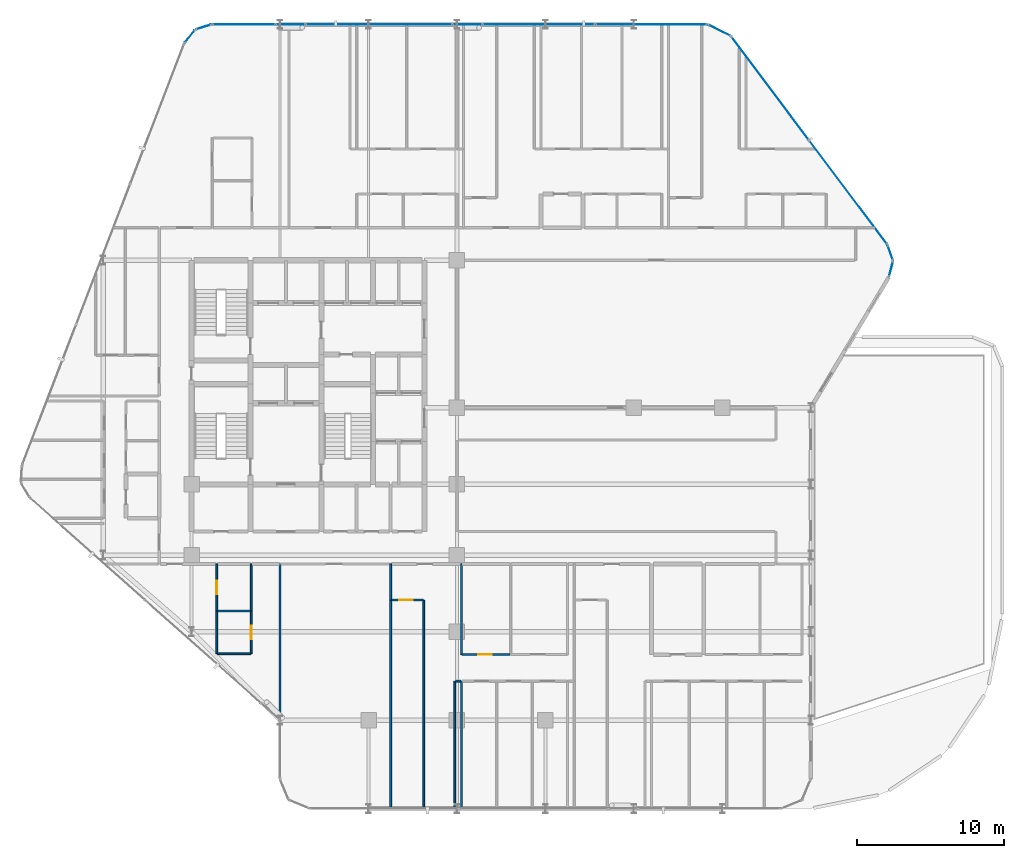
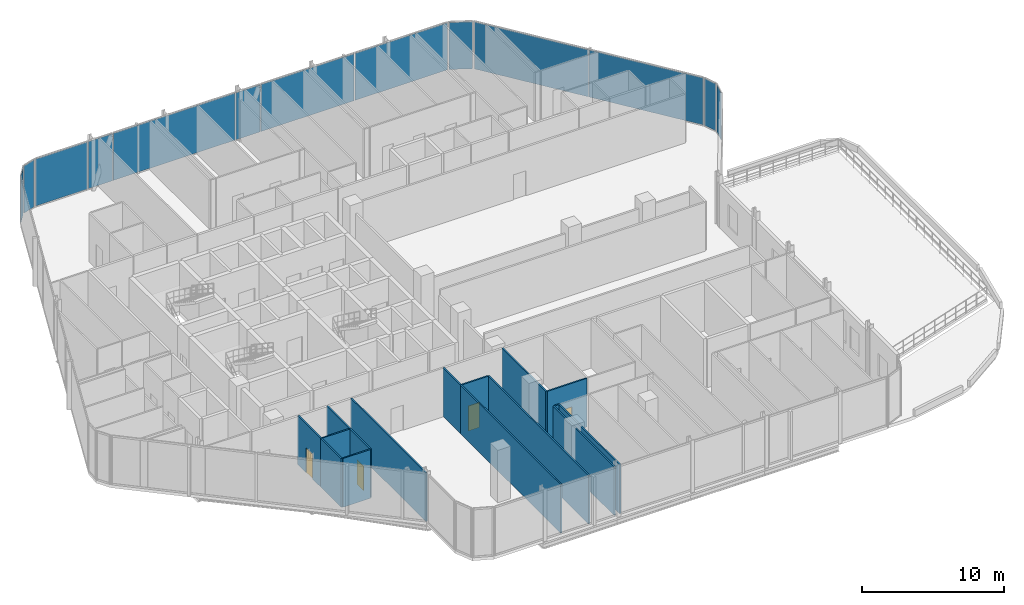
# One storey, part 21 of 30: 16 walls, 13 plates, 4 doors, 4 openings, 11 elements without a shape of their own.
"""IFC4 building model written with IfcOpenShell, lengths in metres."""

import ifcopenshell
import ifcopenshell.guid

model = None  # the IFC model being written
_history = None  # IfcOwnerHistory: only IFC2X3 demands one
_inside = {}  # id of a spatial element -> (the spatial element, [elements in it])
_under = {}  # id of a project, library or spatial element -> (it, [spatial elements below it])
_declared = {}  # id of a project -> (the project, [libraries it declares])
_typed = {}  # id of a type object -> (the type object, [elements of that type])
_made_of = {}  # id of a material, layer set ... -> (it, [elements and type objects made of it])


def new_model(schema):
    """Start an empty IFC model of exactly this schema.

    Asked for "IFC4X3", IfcOpenShell would pick the latest addendum, in which some entities
    have other attributes; the version numbers below select the first issue.
    IFC2X3 requires an IfcOwnerHistory on every rooted entity: one is made here for all.
    """
    global model, _history
    if schema == "IFC4X3":
        model = ifcopenshell.file(schema_version=(4, 3, 0, 0))
    else:
        model = ifcopenshell.file(schema=schema)
    _inside.clear()
    _under.clear()
    _declared.clear()
    _typed.clear()
    _made_of.clear()
    _history = None
    if model.schema == "IFC2X3":
        org = make("IfcOrganization", Name="unknown")
        user = make(
            "IfcPersonAndOrganization",
            ThePerson=make("IfcPerson", FamilyName="unknown"),
            TheOrganization=org,
        )
        app = make(
            "IfcApplication",
            ApplicationDeveloper=org,
            Version="unknown",
            ApplicationFullName="unknown",
            ApplicationIdentifier="unknown",
        )
        _history = make(
            "IfcOwnerHistory",
            OwningUser=user,
            OwningApplication=app,
            ChangeAction="ADDED",
            CreationDate=0,
        )
    return model


def make(cls, **values):
    """One entity of the class cls with the attributes given. An attribute that is None is left unset."""
    return model.create_entity(
        cls, **{name: value for name, value in values.items() if value is not None}
    )


def rooted(cls, **values):
    """An entity with a GlobalId (a new one), such as an element, a storey or a relation."""
    return make(cls, GlobalId=ifcopenshell.guid.new(), OwnerHistory=_history, **values)


def si_unit(unit_type, name, prefix=None):
    """IfcSIUnit, for example si_unit("LENGTHUNIT", "METRE", prefix="MILLI")."""
    return make("IfcSIUnit", UnitType=unit_type, Prefix=prefix, Name=name)


def assignment(units):
    """IfcUnitAssignment: the units of a project."""
    return None if units is None else make("IfcUnitAssignment", Units=units)


def point(xyz):
    """IfcCartesianPoint."""
    return None if xyz is None else make("IfcCartesianPoint", Coordinates=xyz)


def direction(xyz):
    """IfcDirection."""
    return None if xyz is None else make("IfcDirection", DirectionRatios=xyz)


def frame(location, z_axis=None, x_axis=None):
    """IfcAxis2Placement3D, a coordinate frame: its origin and axes. An axis left out is left unset."""
    return make(
        "IfcAxis2Placement3D",
        Location=point(location),
        Axis=direction(z_axis),
        RefDirection=direction(x_axis),
    )


def frame_2d(location, x_axis=None):
    """IfcAxis2Placement2D, a coordinate frame in the plane: its origin and x axis."""
    return make(
        "IfcAxis2Placement2D", Location=point(location), RefDirection=direction(x_axis)
    )


def origin():
    """The frame at (0, 0, 0) with its axes left unset."""
    return frame((0.0, 0.0, 0.0))


def origin_2d():
    """The frame at (0, 0) in the plane with its x axis left unset."""
    return frame_2d((0.0, 0.0))


def place(relative_to, where):
    """IfcLocalPlacement: puts the frame where relative to a parent placement (None: the world)."""
    return make(
        "IfcLocalPlacement", PlacementRelTo=relative_to, RelativePlacement=where
    )


def context(
    kind, dimensions, precision=None, world=None, true_north=None, identifier=None
):
    """IfcGeometricRepresentationContext, for example the 3D "Model" context."""
    return make(
        "IfcGeometricRepresentationContext",
        ContextIdentifier=identifier,
        ContextType=kind,
        CoordinateSpaceDimension=dimensions,
        Precision=precision,
        WorldCoordinateSystem=world,
        TrueNorth=true_north,
    )


def subcontext(parent, identifier, kind, view, scale=None):
    """IfcGeometricRepresentationSubContext, for example "Body" below "Model"."""
    return make(
        "IfcGeometricRepresentationSubContext",
        ContextIdentifier=identifier,
        ContextType=kind,
        ParentContext=parent,
        TargetScale=scale,
        TargetView=view,
    )


def project(units=None, contexts=None):
    """IfcProject with its units and contexts."""
    return rooted(
        "IfcProject",
        Name="project",
        RepresentationContexts=contexts,
        UnitsInContext=assignment(units),
    )


def spatial(cls, under=None, at=None, **own):
    """A site, building, storey or space (cls), placed at a placement, below another one or the project."""
    s = rooted(cls, ObjectPlacement=at, **own)
    if under is not None:
        _under.setdefault(under.id(), (under, []))[1].append(s)
    return s


def profile(cls, at=None, kind="AREA", **sizes):
    """A parametric profile (cls). Its sizes go by their IFC names, for example OverallWidth=200.0."""
    return make(cls, ProfileType=kind, Position=at, **sizes)


def rectangle(**sizes):
    """IfcRectangleProfileDef."""
    return profile("IfcRectangleProfileDef", **sizes)


def extrude(swept, where, along, depth):
    """IfcExtrudedAreaSolid: the profile swept, set in the frame where, extruded along a direction by depth."""
    return make(
        "IfcExtrudedAreaSolid",
        SweptArea=swept,
        Position=where,
        ExtrudedDirection=direction(along),
        Depth=depth,
    )


def shape(context_of_items, identifier, shape_type, items):
    """IfcShapeRepresentation: the items that make up one representation, for example the "Body"."""
    return make(
        "IfcShapeRepresentation",
        ContextOfItems=context_of_items,
        RepresentationIdentifier=identifier,
        RepresentationType=shape_type,
        Items=items,
    )


def material(Name=None, Category=None):
    """IfcMaterial."""
    return make("IfcMaterial", Name=Name, Category=Category)


def layer(
    of_material, thickness, ventilated=None, Name=None, Category=None, Priority=None
):
    """IfcMaterialLayer: one layer of a wall or slab, of a material (None: an air gap)."""
    return make(
        "IfcMaterialLayer",
        Material=of_material,
        LayerThickness=thickness,
        IsVentilated=ventilated,
        Name=Name,
        Category=Category,
        Priority=Priority,
    )


def layer_set(layers, Name=None):
    """IfcMaterialLayerSet."""
    return make("IfcMaterialLayerSet", MaterialLayers=layers, LayerSetName=Name)


def made_of(thing, what):
    """Note that an element or type object is made of a material, layer set ...; save() writes the relation."""
    if what is not None:
        _made_of.setdefault(what.id(), (what, []))[1].append(thing)
    return thing


def type_object(cls, material=None, **own):
    """A type object (cls), such as IfcWallType, which elements share."""
    return made_of(rooted(cls, **own), material)


def element(
    cls,
    number,
    at=None,
    inside=None,
    cuts=None,
    type_object=None,
    material=None,
    context=None,
    identifier="Body",
    shape_type=None,
    held_by="IfcProductDefinitionShape",
    body=None,
    shapes=None,
    **own,
):
    """One element of the class cls, such as IfcWall. Its Tag is "e" and its number.

    at: its placement. inside: the storey or other place that contains it. cuts: it is an
    opening in that element (IfcRelVoidsElement). A single representation is given by context,
    identifier, shape_type and body (its items); several are given by shapes. held_by: the class
    of the entity that holds the representations. save() writes the other relations.
    """
    e = rooted(cls, Tag="e%d" % number, ObjectPlacement=at, **own)
    if body is not None:
        shapes = [shape(context, identifier, shape_type, body)]
    if shapes is not None:
        e.Representation = make(held_by, Representations=shapes)
    if inside is not None:
        _inside.setdefault(inside.id(), (inside, []))[1].append(e)
    if cuts is not None:
        rooted(
            "IfcRelVoidsElement", RelatingBuildingElement=cuts, RelatedOpeningElement=e
        )
    if type_object is not None:
        _typed.setdefault(type_object.id(), (type_object, []))[1].append(e)
    return made_of(e, material)


def fill(opening, filler):
    """IfcRelFillsElement: the door or window that sits in an opening."""
    return rooted(
        "IfcRelFillsElement",
        RelatingOpeningElement=opening,
        RelatedBuildingElement=filler,
    )


def aggregate(whole, parts):
    """IfcRelAggregates: a whole, such as a stair, and the parts it consists of."""
    return rooted("IfcRelAggregates", RelatingObject=whole, RelatedObjects=parts)


def save(model, path):
    """Write the relations noted so far, then the file.

    IfcRelAggregates (storeys below a building ...), IfcRelContainedInSpatialStructure (elements
    in a storey), IfcRelDefinesByType, IfcRelAssociatesMaterial and IfcRelDeclares: one each for
    every whole, place, type object, material and project.
    """
    for whole, parts in _under.values():
        aggregate(whole, parts)
    for where, things in _inside.values():
        rooted(
            "IfcRelContainedInSpatialStructure",
            RelatedElements=things,
            RelatingStructure=where,
        )
    for kind, things in _typed.values():
        rooted("IfcRelDefinesByType", RelatedObjects=things, RelatingType=kind)
    for what, things in _made_of.values():
        rooted("IfcRelAssociatesMaterial", RelatedObjects=things, RelatingMaterial=what)
    for by, libraries in _declared.values():
        rooted("IfcRelDeclares", RelatingContext=by, RelatedDefinitions=libraries)
    model.write(path)


model = new_model("IFC4")

# Units and contexts
model_context = context("Model", 3, precision=1e-05, world=origin(), true_north=direction((0.0, 1.0)))
body_context = subcontext(model_context, "Body", "Model", "MODEL_VIEW")
ifc_project = project(units=[si_unit("LENGTHUNIT", "METRE"), si_unit("AREAUNIT", "SQUARE_METRE"), si_unit("VOLUMEUNIT", "CUBIC_METRE"), si_unit("PLANEANGLEUNIT", "RADIAN"), si_unit("MASSUNIT", "GRAM", prefix="KILO")], contexts=[model_context])

# Site, building, storey
site_placement = place(None, origin())
site = spatial("IfcSite", under=ifc_project, at=site_placement, CompositionType="ELEMENT")
building_placement = place(site_placement, origin())
building = spatial("IfcBuilding", under=site, at=building_placement, Name="Keshet Zoharim Tower", CompositionType="ELEMENT")
storey_placement = place(building_placement, frame((0.0, 0.0, 86.39990234375)))
storey = spatial("IfcBuildingStorey", under=building, at=storey_placement, Name="L20", CompositionType="ELEMENT", Elevation=86.39990234375)

# Curtain wall, plate
ifc_material_1 = material(Name="Aluminium 6063-T6", Category="aluminium")
ifc_layer_1 = layer(ifc_material_1, 0.159912109375)
ifc_layer_set_1 = layer_set([ifc_layer_1], Name="Aluminium 6063-T6")
curtain_wall_type = type_object("IfcCurtainWallType", Name="CW-SYS-03", PredefinedType="NOTDEFINED", material=ifc_layer_set_1)
curtain_wall_1_placement = place(storey_placement, origin())
curtain_wall_1 = element("IfcCurtainWall", 1, at=curtain_wall_1_placement, inside=storey, type_object=curtain_wall_type, Name="L20 Unitised Curtain Wall 11", PredefinedType="NOTDEFINED")
ifc_material_2 = material(Name="Insulated Low-E Clear Glass", Category="glass")
ifc_layer_2 = layer(ifc_material_2, 0.035888671875)
ifc_layer_set_2 = layer_set([ifc_layer_2], Name="Insulated Low-E Clear Glass")
plate_type_1 = type_object("IfcPlateType", Name="CWP-01", PredefinedType="CURTAIN_PANEL", material=ifc_layer_set_2)
plate_1_placement = place(storey_placement, frame((14.8740234375, 53.08349609375, 0.070068359375), z_axis=(0.0, 0.0, 1.0), x_axis=(0.619124525989, 0.785292825205, 0.0)))
plate_1 = element("IfcPlate", 2, at=plate_1_placement, type_object=plate_type_1, Name="CW-03 panel 1.1", PredefinedType="CURTAIN_PANEL", context=body_context, shape_type="SweptSolid", body=[
    extrude(rectangle(XDim=1.045654296875, YDim=0.035888671875, at=origin_2d()), origin(), (0.0, 0.0, 1.0), 4.044921875),
])
aggregate(curtain_wall_1, [plate_1])

curtain_wall_2_placement = place(storey_placement, origin())
curtain_wall_2 = element("IfcCurtainWall", 3, at=curtain_wall_2_placement, inside=storey, type_object=curtain_wall_type, Name="L20 Unitised Curtain Wall 12", PredefinedType="NOTDEFINED")
plate_2_placement = place(storey_placement, frame((15.8076171875, 53.724609375, 0.070068359375), z_axis=(0.0, 0.0, 1.0), x_axis=(0.955212151288, 0.295921857984, 0.0)))
plate_2 = element("IfcPlate", 4, at=plate_2_placement, type_object=plate_type_1, Name="CW-03 panel 1.1", PredefinedType="CURTAIN_PANEL", context=body_context, shape_type="SweptSolid", body=[
    extrude(rectangle(XDim=1.046142578125, YDim=0.035888671875, at=origin_2d()), origin(), (0.0, 0.0, 1.0), 4.044921875),
])
aggregate(curtain_wall_2, [plate_2])

curtain_wall_3_placement = place(storey_placement, origin())
curtain_wall_3 = element("IfcCurtainWall", 5, at=curtain_wall_3_placement, inside=storey, type_object=curtain_wall_type, Name="L20 Unitised Curtain Wall 13", PredefinedType="NOTDEFINED")
ifc_layer_3 = layer(ifc_material_2, 0.031982421875)
ifc_layer_set_3 = layer_set([ifc_layer_3], Name="Insulated Low-E Clear Glass")
plate_type_2 = type_object("IfcPlateType", Name="CWP-02", PredefinedType="CURTAIN_PANEL", material=ifc_layer_set_3)
plate_3_placement = place(storey_placement, frame((18.55322265625, 53.89990234375, 0.070068359375), z_axis=(0.0, 0.0, 1.0), x_axis=(1.0, 0.0, 0.0)))
plate_3 = element("IfcPlate", 6, at=plate_3_placement, type_object=plate_type_2, Name="CW-03 panel 1.1", PredefinedType="CURTAIN_PANEL", context=body_context, shape_type="SweptSolid", body=[
    extrude(rectangle(XDim=4.218505859375, YDim=0.031982421875, at=origin_2d()), origin(), (0.0, 0.0, 1.0), 4.044921875),
])
aggregate(curtain_wall_3, [plate_3])

curtain_wall_4_placement = place(storey_placement, origin())
curtain_wall_4 = element("IfcCurtainWall", 7, at=curtain_wall_4_placement, inside=storey, type_object=curtain_wall_type, Name="L20 Unitised Curtain Wall 13 Part 3", PredefinedType="NOTDEFINED")
plate_4_placement = place(storey_placement, frame((27.715087890625, 53.89990234375, 0.070068359375), z_axis=(0.0, 0.0, 1.0), x_axis=(1.0, 0.0, 0.0)))
plate_4 = element("IfcPlate", 8, at=plate_4_placement, type_object=plate_type_2, Name="CW-03 panel 1.1", PredefinedType="CURTAIN_PANEL", context=body_context, shape_type="SweptSolid", body=[
    extrude(rectangle(XDim=9.895263671875, YDim=0.031982421875, at=origin_2d()), origin(), (0.0, 0.0, 1.0), 4.044921875),
])
aggregate(curtain_wall_4, [plate_4])

# Curtain wall, plates
curtain_wall_5_placement = place(storey_placement, origin())
curtain_wall_5 = element("IfcCurtainWall", 9, at=curtain_wall_5_placement, inside=storey, type_object=curtain_wall_type, Name="L20 Unitised Curtain Wall 13 Part 5", PredefinedType="NOTDEFINED")
plate_5_placement = place(storey_placement, frame((38.55810546875, 53.89990234375, 0.070068359375), z_axis=(0.0, 0.0, 1.0), x_axis=(1.0, 0.0, 0.0)))
plate_5 = element("IfcPlate", 10, at=plate_5_placement, type_object=plate_type_2, Name="CW-03 panel 1.1", PredefinedType="CURTAIN_PANEL", context=body_context, shape_type="SweptSolid", body=[
    extrude(rectangle(XDim=7.581298828125, YDim=0.031982421875, at=origin_2d()), origin(), (0.0, 0.0, 1.0), 4.044921875),
])
plate_6_placement = place(storey_placement, frame((46.17431640625, 53.89990234375, 0.070068359375), z_axis=(0.0, 0.0, 1.0), x_axis=(1.0, 0.0, 0.0)))
plate_6 = element("IfcPlate", 11, at=plate_6_placement, type_object=plate_type_2, Name="CW-03 panel 2.1", PredefinedType="CURTAIN_PANEL", context=body_context, shape_type="SweptSolid", body=[
    extrude(rectangle(XDim=7.51123046875, YDim=0.031982421875, at=origin_2d()), origin(), (0.0, 0.0, 1.0), 4.044921875),
])
aggregate(curtain_wall_5, [plate_5, plate_6])

# Curtain wall, plate
curtain_wall_6_placement = place(storey_placement, origin())
curtain_wall_6 = element("IfcCurtainWall", 12, at=curtain_wall_6_placement, inside=storey, type_object=curtain_wall_type, Name="L20 Unitised Curtain Wall 14", PredefinedType="NOTDEFINED")
plate_7_placement = place(storey_placement, frame((50.800048828125, 53.5, 0.070068359375), z_axis=(0.0, 0.0, 1.0), x_axis=(0.894427191001, -0.447213595499, 0.0)))
plate_7 = element("IfcPlate", 13, at=plate_7_placement, type_object=plate_type_2, Name="CW-03 panel 1.1", PredefinedType="CURTAIN_PANEL", context=body_context, shape_type="SweptSolid", body=[
    extrude(rectangle(XDim=1.64892578125, YDim=0.031982421875, at=origin_2d()), origin(), (0.0, 0.0, 1.0), 4.044921875),
])
aggregate(curtain_wall_6, [plate_7])

# Curtain wall, plates
curtain_wall_7_placement = place(storey_placement, origin())
curtain_wall_7 = element("IfcCurtainWall", 14, at=curtain_wall_7_placement, inside=storey, type_object=curtain_wall_type, Name="L20 Unitised Curtain Wall 15", PredefinedType="NOTDEFINED")
plate_8_placement = place(storey_placement, frame((54.2587890625, 49.554931640625, 0.070068359375), z_axis=(0.0, 0.0, 1.0), x_axis=(0.600000000002, -0.799999999998, 0.0)))
plate_8 = element("IfcPlate", 15, at=plate_8_placement, type_object=plate_type_2, Name="CW-03 panel 1.1", PredefinedType="CURTAIN_PANEL", context=body_context, shape_type="SweptSolid", body=[
    extrude(rectangle(XDim=8.722412109375, YDim=0.031982421875, at=origin_2d()), origin(), (0.0, 0.0, 1.0), 4.044921875),
])
plate_9_placement = place(storey_placement, frame((59.5341796875, 42.52099609375, 0.070068359375), z_axis=(0.0, 0.0, 1.0), x_axis=(0.600000000002, -0.799999999998, 0.0)))
plate_9 = element("IfcPlate", 16, at=plate_9_placement, type_object=plate_type_2, Name="CW-03 panel 2.1", PredefinedType="CURTAIN_PANEL", context=body_context, shape_type="SweptSolid", body=[
    extrude(rectangle(XDim=8.722412109375, YDim=0.031982421875, at=origin_2d()), origin(), (0.0, 0.0, 1.0), 4.044921875),
])
aggregate(curtain_wall_7, [plate_8, plate_9])

# Curtain wall, plate
curtain_wall_8_placement = place(storey_placement, origin())
curtain_wall_8 = element("IfcCurtainWall", 17, at=curtain_wall_8_placement, inside=storey, type_object=curtain_wall_type, Name="L20 Unitised Curtain Wall 16", PredefinedType="NOTDEFINED")
plate_10_placement = place(storey_placement, frame((62.3916015625, 38.427490234375, 0.070068359375), z_axis=(0.0, 0.0, 1.0), x_axis=(0.340297354046, -0.940317877544, 0.0)))
plate_10 = element("IfcPlate", 18, at=plate_10_placement, type_object=plate_type_2, Name="CW-03 panel 1.1", PredefinedType="CURTAIN_PANEL", context=body_context, shape_type="SweptSolid", body=[
    extrude(rectangle(XDim=1.026611328125, YDim=0.031982421875, at=origin_2d()), origin(), (0.0, 0.0, 1.0), 4.044921875),
])
aggregate(curtain_wall_8, [plate_10])

curtain_wall_9_placement = place(storey_placement, origin())
curtain_wall_9 = element("IfcCurtainWall", 19, at=curtain_wall_9_placement, inside=storey, type_object=curtain_wall_type, Name="L20 Unitised Curtain Wall 17", PredefinedType="NOTDEFINED")
plate_11_placement = place(storey_placement, frame((62.448974609375, 37.31298828125, 0.070068359375), z_axis=(0.0, 0.0, 1.0), x_axis=(-0.241728770141, -0.970343857447, 0.0)))
plate_11 = element("IfcPlate", 20, at=plate_11_placement, type_object=plate_type_2, Name="CW-03 panel 1.1", PredefinedType="CURTAIN_PANEL", context=body_context, shape_type="SweptSolid", body=[
    extrude(rectangle(XDim=1.026611328125, YDim=0.031982421875, at=origin_2d()), origin(), (0.0, 0.0, 1.0), 4.044921875),
])
aggregate(curtain_wall_9, [plate_11])

curtain_wall_10_placement = place(storey_placement, origin())
curtain_wall_10 = element("IfcCurtainWall", 21, at=curtain_wall_10_placement, inside=storey, type_object=curtain_wall_type, Name="L20 Unitised Curtain Wall 13 Part 2", PredefinedType="NOTDEFINED")
ifc_material_3 = material(Name="Insulated Aluminium Spandrel Panel", Category="aluminium")
ifc_layer_4 = layer(ifc_material_3, 0.031982421875)
ifc_layer_set_4 = layer_set([ifc_layer_4], Name="Insulated Aluminium Spandrel Panel")
plate_type_3 = type_object("IfcPlateType", Name="CWP-05", PredefinedType="CURTAIN_PANEL", material=ifc_layer_set_4)
plate_12_placement = place(storey_placement, frame((21.715087890625, 53.89990234375, 0.070068359375), z_axis=(0.0, 0.0, 1.0), x_axis=(1.0, 0.0, 0.0)))
plate_12 = element("IfcPlate", 22, at=plate_12_placement, type_object=plate_type_3, Name="CW-03 spandrel panel 1.1", PredefinedType="CURTAIN_PANEL", context=body_context, shape_type="SweptSolid", body=[
    extrude(rectangle(XDim=1.96484375, YDim=0.031982421875, at=origin_2d()), origin(), (0.0, 0.0, 1.0), 4.044921875),
])
aggregate(curtain_wall_10, [plate_12])

curtain_wall_11_placement = place(storey_placement, origin())
curtain_wall_11 = element("IfcCurtainWall", 23, at=curtain_wall_11_placement, inside=storey, type_object=curtain_wall_type, Name="L20 Unitised Curtain Wall 13 Part 4", PredefinedType="NOTDEFINED")
plate_13_placement = place(storey_placement, frame((33.715087890625, 53.89990234375, 0.070068359375), z_axis=(0.0, 0.0, 1.0), x_axis=(1.0, 0.0, 0.0)))
plate_13 = element("IfcPlate", 24, at=plate_13_placement, type_object=plate_type_3, Name="CW-03 spandrel panel 1.1", PredefinedType="CURTAIN_PANEL", context=body_context, shape_type="SweptSolid", body=[
    extrude(rectangle(XDim=1.96484375, YDim=0.031982421875, at=origin_2d()), origin(), (0.0, 0.0, 1.0), 4.044921875),
])
aggregate(curtain_wall_11, [plate_13])

# Wall, opening, door
ifc_material_4 = material(Name="Gypsum Plasterboard", Category="gypsum")
ifc_layer_5 = layer(ifc_material_4, 0.1201171875)
ifc_layer_set_5 = layer_set([ifc_layer_5], Name="Gypsum Plasterboard")
wall_type_1 = type_object("IfcWallType", Name="WL-PART-120", PredefinedType="PARTITIONING", material=ifc_layer_set_5)
wall_1_placement = place(storey_placement, frame((16.699951171875, 14.10009765625, 0.0), z_axis=(0.0, 0.0, 1.0), x_axis=(0.0, 1.0, 0.0)))
wall_1 = element("IfcWall", 25, at=wall_1_placement, inside=storey, type_object=wall_type_1, Name="L20 Interior Wall 020", PredefinedType="PARTITIONING", context=body_context, shape_type="SweptSolid", body=[
    extrude(rectangle(XDim=3.199951171875, YDim=0.1201171875, at=frame_2d((1.60009765625, 0.0))), origin(), (0.0, 0.0, 1.0), 4.18505859375),
])
opening_1_placement = place(wall_1_placement, frame((1.14990234375, 0.0, 0.0)))
opening_1 = element("IfcOpeningElement", 26, at=opening_1_placement, cuts=wall_1, Name="Opening D-IN90", PredefinedType="OPENING", context=body_context, shape_type="SweptSolid", body=[
    extrude(rectangle(XDim=0.89990234375, YDim=2.14990234375, at=frame_2d((0.449951171875, 1.074951171875))), frame((0.0, 0.070068359375, 0.0), z_axis=(0.0, -1.0, 0.0), x_axis=(1.0, 0.0, 0.0)), (0.0, 0.0, 1.0), 0.14013671875),
])
ifc_material_5 = material(Name="Hardwood Timber", Category="wood")
door_type_1 = type_object("IfcDoorType", Name="DR-INT-090", OperationType="NOTDEFINED", PredefinedType="DOOR", material=ifc_material_5)
door_1_placement = place(opening_1_placement, origin())
door_1 = element("IfcDoor", 27, at=door_1_placement, inside=storey, type_object=door_type_1, Name="Apartment 2001 Kitchenette Door", OperationType="SINGLE_SWING_LEFT", OverallHeight=2.14990234375, OverallWidth=0.89990234375, PredefinedType="DOOR", context=body_context, shape_type="SweptSolid", body=[
    extrude(rectangle(XDim=0.89990234375, YDim=2.14990234375, at=frame_2d((0.449951171875, 1.074951171875))), frame((0.0, 0.02490234375, 0.0), z_axis=(0.0, -1.0, 0.0), x_axis=(1.0, 0.0, 0.0)), (0.0, 0.0, 1.0), 0.050048828125),
])
fill(opening_1, door_1)

# Walls
wall_2_placement = place(storey_placement, frame((19.050048828125, 14.10009765625, 0.0), z_axis=(0.0, 0.0, 1.0), x_axis=(0.0, 1.0, 0.0)))
element("IfcWall", 28, at=wall_2_placement, inside=storey, type_object=wall_type_1, Name="L20 Interior Wall 027", PredefinedType="PARTITIONING", context=body_context, shape_type="SweptSolid", body=[
    extrude(rectangle(XDim=3.199951171875, YDim=0.1201171875, at=frame_2d((1.60009765625, 0.0))), origin(), (0.0, 0.0, 1.0), 4.18505859375),
])
wall_3_placement = place(storey_placement, frame((21.0, 6.7099609375, 0.0), z_axis=(0.0, 0.0, 1.0), x_axis=(0.0, 1.0, 0.0)))
element("IfcWall", 29, at=wall_3_placement, inside=storey, type_object=wall_type_1, Name="L20 Interior Wall 030", PredefinedType="PARTITIONING", context=body_context, shape_type="SweptSolid", body=[
    extrude(rectangle(XDim=10.590087890625, YDim=0.1201171875, at=frame_2d((5.294921875, 0.0))), origin(), (0.0, 0.0, 1.0), 4.18505859375),
])
wall_4_placement = place(storey_placement, frame((28.5, 0.7099609375, 0.0), z_axis=(0.0, 0.0, 1.0), x_axis=(0.0, 1.0, 0.0)))
element("IfcWall", 30, at=wall_4_placement, inside=storey, type_object=wall_type_1, Name="L20 Interior Wall 051", PredefinedType="PARTITIONING", context=body_context, shape_type="SweptSolid", body=[
    extrude(rectangle(XDim=14.14013671875, YDim=0.1201171875, at=frame_2d((7.070068359375, 0.0))), origin(), (0.0, 0.0, 1.0), 4.18505859375),
])
wall_5_placement = place(storey_placement, frame((28.5, 14.85009765625, 0.0), z_axis=(0.0, 0.0, 1.0), x_axis=(0.0, 1.0, 0.0)))
element("IfcWall", 31, at=wall_5_placement, inside=storey, type_object=wall_type_1, Name="L20 Interior Wall 052", PredefinedType="PARTITIONING", context=body_context, shape_type="SweptSolid", body=[
    extrude(rectangle(XDim=2.449951171875, YDim=0.1201171875, at=frame_2d((1.22509765625, 0.0))), origin(), (0.0, 0.0, 1.0), 4.18505859375),
])
wall_6_placement = place(storey_placement, frame((30.75, 0.7099609375, 0.0), z_axis=(0.0, 0.0, 1.0), x_axis=(0.0, 1.0, 0.0)))
element("IfcWall", 32, at=wall_6_placement, inside=storey, type_object=wall_type_1, Name="L20 Interior Wall 059", PredefinedType="PARTITIONING", context=body_context, shape_type="SweptSolid", body=[
    extrude(rectangle(XDim=14.14013671875, YDim=0.1201171875, at=frame_2d((7.070068359375, 0.0))), origin(), (0.0, 0.0, 1.0), 4.18505859375),
])
for number, where, z_axis, x_axis, name in (
    (33, (32.85009765625, 0.7099609375, 0.0), (0.0, 0.0, 1.0), (0.0, 1.0, 0.0), "L20 Interior Wall 066"),
    (34, (33.300048828125, 0.7099609375, 0.0), (0.0, 0.0, 1.0), (0.0, 1.0, 0.0), "L20 Interior Wall 071"),
):
    element("IfcWall", number, at=place(storey_placement, frame(where, z_axis=z_axis, x_axis=x_axis)), inside=storey, type_object=wall_type_1, Name=name, PredefinedType="PARTITIONING", context=body_context, shape_type="SweptSolid", body=[
        extrude(rectangle(XDim=8.64013671875, YDim=0.1201171875, at=frame_2d((4.320068359375, 0.0))), origin(), (0.0, 0.0, 1.0), 4.18505859375),
    ])
wall_7_placement = place(storey_placement, frame((33.300048828125, 11.14990234375, 0.0), z_axis=(0.0, 0.0, 1.0), x_axis=(0.0, 1.0, 0.0)))
element("IfcWall", 35, at=wall_7_placement, inside=storey, type_object=wall_type_1, Name="L20 Interior Wall 072", PredefinedType="PARTITIONING", context=body_context, shape_type="SweptSolid", body=[
    extrude(rectangle(XDim=6.150146484375, YDim=0.1201171875, at=frame_2d((3.0751953125, 0.0))), origin(), (0.0, 0.0, 1.0), 4.18505859375),
])
wall_8_placement = place(storey_placement, frame((32.905029296875, 9.35009765625, 0.0), z_axis=(0.0, 0.0, 1.0), x_axis=(1.0, 0.0, 0.0)))
element("IfcWall", 36, at=wall_8_placement, inside=storey, type_object=wall_type_1, Name="L20 Interior Wall 116", PredefinedType="PARTITIONING", context=body_context, shape_type="SweptSolid", body=[
    extrude(rectangle(XDim=0.35986328125, YDim=0.1201171875, at=frame_2d((0.179931640625, 0.0))), origin(), (0.0, 0.0, 1.0), 4.18505859375),
])

# Wall, opening, door
wall_9_placement = place(storey_placement, frame((33.35498046875, 11.14990234375, 0.0), z_axis=(0.0, 0.0, 1.0), x_axis=(1.0, 0.0, 0.0)))
wall_9 = element("IfcWall", 37, at=wall_9_placement, inside=storey, type_object=wall_type_1, Name="L20 Interior Wall 121", PredefinedType="PARTITIONING", context=body_context, shape_type="SweptSolid", body=[
    extrude(rectangle(XDim=3.22705078125, YDim=0.1201171875, at=frame_2d((1.613525390625, 0.0))), origin(), (0.0, 0.0, 1.0), 4.18505859375),
])
opening_2_placement = place(wall_9_placement, frame((1.090087890625, 0.0, 0.0)))
opening_2 = element("IfcOpeningElement", 38, at=opening_2_placement, cuts=wall_9, Name="Opening D-IN90", PredefinedType="OPENING", context=body_context, shape_type="SweptSolid", body=[
    extrude(rectangle(XDim=0.89990234375, YDim=2.14990234375, at=frame_2d((0.449951171875, 1.074951171875))), frame((0.0, 0.070068359375, 0.0), z_axis=(0.0, -1.0, 0.0), x_axis=(1.0, 0.0, 0.0)), (0.0, 0.0, 1.0), 0.14013671875),
])
door_2_placement = place(opening_2_placement, origin())
door_2 = element("IfcDoor", 39, at=door_2_placement, inside=storey, type_object=door_type_1, Name="Apartment 2002 Kitchen Door", OperationType="SINGLE_SWING_LEFT", OverallHeight=2.14990234375, OverallWidth=0.89990234375, PredefinedType="DOOR", context=body_context, shape_type="SweptSolid", body=[
    extrude(rectangle(XDim=0.89990234375, YDim=2.14990234375, at=frame_2d((0.449951171875, 1.074951171875))), frame((0.0, 0.02490234375, 0.0), z_axis=(0.0, -1.0, 0.0), x_axis=(1.0, 0.0, 0.0)), (0.0, 0.0, 1.0), 0.050048828125),
])
fill(opening_2, door_2)

wall_10_placement = place(storey_placement, frame((28.544921875, 14.85009765625, 0.0), z_axis=(0.0, 0.0, 1.0), x_axis=(1.0, 0.0, 0.0)))
wall_10 = element("IfcWall", 40, at=wall_10_placement, inside=storey, type_object=wall_type_1, Name="L20 Interior Wall 128", PredefinedType="PARTITIONING", context=body_context, shape_type="SweptSolid", body=[
    extrude(rectangle(XDim=2.16015625, YDim=0.1201171875, at=frame_2d((1.080078125, 0.0))), origin(), (0.0, 0.0, 1.0), 4.18505859375),
])
opening_3_placement = place(wall_10_placement, frame((0.552978515625, 0.0, 0.0)))
opening_3 = element("IfcOpeningElement", 41, at=opening_3_placement, cuts=wall_10, Name="Opening D-IN90", PredefinedType="OPENING", context=body_context, shape_type="SweptSolid", body=[
    extrude(rectangle(XDim=0.89990234375, YDim=2.14990234375, at=frame_2d((0.449951171875, 1.074951171875))), frame((0.0, 0.070068359375, 0.0), z_axis=(0.0, -1.0, 0.0), x_axis=(1.0, 0.0, 0.0)), (0.0, 0.0, 1.0), 0.14013671875),
])
door_3_placement = place(opening_3_placement, origin())
door_3 = element("IfcDoor", 42, at=door_3_placement, inside=storey, type_object=door_type_1, Name="Apartment 2002 Formal Dining Room Door", OperationType="SINGLE_SWING_RIGHT", OverallHeight=2.14990234375, OverallWidth=0.89990234375, PredefinedType="DOOR", context=body_context, shape_type="SweptSolid", body=[
    extrude(rectangle(XDim=0.89990234375, YDim=2.14990234375, at=frame_2d((0.449951171875, 1.074951171875))), frame((0.0, 0.02490234375, 0.0), z_axis=(0.0, -1.0, 0.0), x_axis=(1.0, 0.0, 0.0)), (0.0, 0.0, 1.0), 0.050048828125),
])
fill(opening_3, door_3)

# Wall
ifc_layer_6 = layer(ifc_material_4, 0.1201171875)
ifc_layer_set_6 = layer_set([ifc_layer_6], Name="Gypsum Plasterboard")
wall_type_2 = type_object("IfcWallType", Name="WL-WET-120", PredefinedType="PARTITIONING", material=ifc_layer_set_6)
wall_11_placement = place(storey_placement, frame((16.699951171875, 11.199951171875, 0.0), z_axis=(0.0, 0.0, 1.0), x_axis=(0.0, 1.0, 0.0)))
element("IfcWall", 43, at=wall_11_placement, inside=storey, type_object=wall_type_2, Name="L20 Interior Wall 019", PredefinedType="PARTITIONING", context=body_context, shape_type="SweptSolid", body=[
    extrude(rectangle(XDim=2.900146484375, YDim=0.1201171875, at=frame_2d((1.4501953125, 0.0))), origin(), (0.0, 0.0, 1.0), 4.18505859375),
])

# Wall, opening, door
wall_12_placement = place(storey_placement, frame((19.050048828125, 11.199951171875, 0.0), z_axis=(0.0, 0.0, 1.0), x_axis=(0.0, 1.0, 0.0)))
wall_12 = element("IfcWall", 44, at=wall_12_placement, inside=storey, type_object=wall_type_2, Name="L20 Interior Wall 026", PredefinedType="PARTITIONING", context=body_context, shape_type="SweptSolid", body=[
    extrude(rectangle(XDim=2.900146484375, YDim=0.1201171875, at=frame_2d((1.4501953125, 0.0))), origin(), (0.0, 0.0, 1.0), 4.18505859375),
])
opening_4_placement = place(wall_12_placement, frame((1.0, 0.0, 0.0)))
opening_4 = element("IfcOpeningElement", 45, at=opening_4_placement, cuts=wall_12, Name="Opening D-WT90", PredefinedType="OPENING", context=body_context, shape_type="SweptSolid", body=[
    extrude(rectangle(XDim=0.89990234375, YDim=2.10009765625, at=frame_2d((0.449951171875, 1.050048828125))), frame((0.0, 0.070068359375, 0.0), z_axis=(0.0, -1.0, 0.0), x_axis=(1.0, 0.0, 0.0)), (0.0, 0.0, 1.0), 0.14013671875),
])
door_type_2 = type_object("IfcDoorType", Name="DR-WET-090", OperationType="NOTDEFINED", PredefinedType="DOOR", material=ifc_material_5)
door_4_placement = place(opening_4_placement, origin())
door_4 = element("IfcDoor", 46, at=door_4_placement, inside=storey, type_object=door_type_2, Name="Apartment 2001 Bathroom Door", OperationType="SINGLE_SWING_RIGHT", OverallHeight=2.10009765625, OverallWidth=0.89990234375, PredefinedType="DOOR", context=body_context, shape_type="SweptSolid", body=[
    extrude(rectangle(XDim=0.89990234375, YDim=2.10009765625, at=frame_2d((0.449951171875, 1.050048828125))), frame((0.0, 0.02490234375, 0.0), z_axis=(0.0, -1.0, 0.0), x_axis=(1.0, 0.0, 0.0)), (0.0, 0.0, 1.0), 0.050048828125),
])
fill(opening_4, door_4)

# Walls
for number, where, z_axis, x_axis, name in (
    (47, (16.7451171875, 11.199951171875, 0.0), (0.0, 0.0, 1.0), (1.0, 0.0, 0.0), "L20 Interior Wall 126"),
    (48, (16.7451171875, 14.10009765625, 0.0), (0.0, 0.0, 1.0), (1.0, 0.0, 0.0), "L20 Interior Wall 127"),
):
    element("IfcWall", number, at=place(storey_placement, frame(where, z_axis=z_axis, x_axis=x_axis)), inside=storey, type_object=wall_type_2, Name=name, PredefinedType="PARTITIONING", context=body_context, shape_type="SweptSolid", body=[
        extrude(rectangle(XDim=2.259765625, YDim=0.1201171875, at=frame_2d((1.1298828125, 0.0))), origin(), (0.0, 0.0, 1.0), 4.18505859375),
    ])

save(model, "model.ifc")
